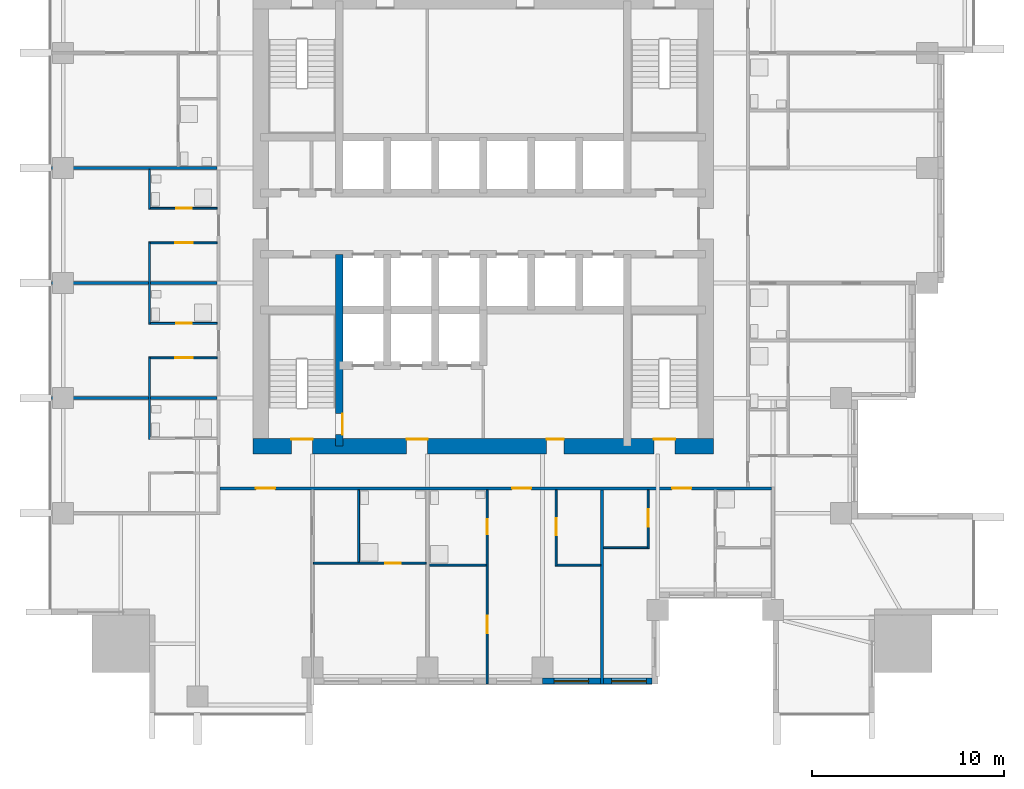
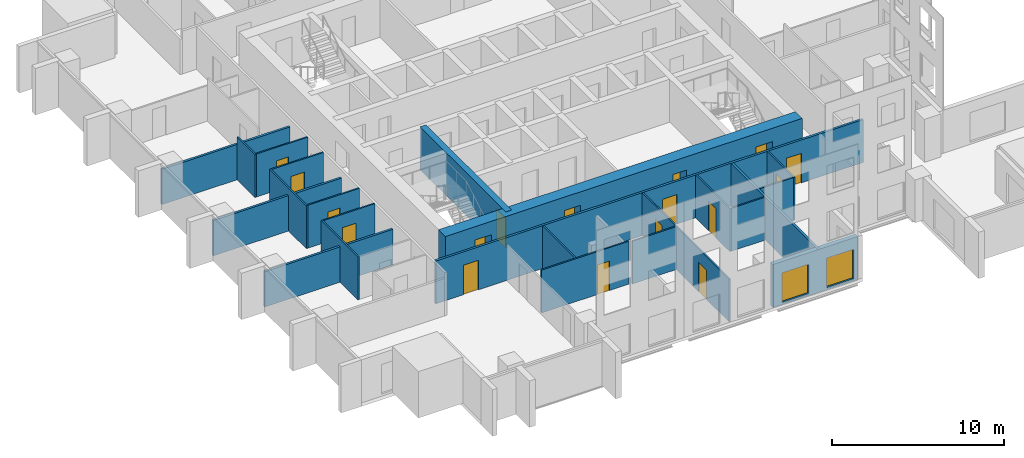
# One storey, part 4 of 11: 23 walls, 17 doors, 2 windows, 19 openings.
"""IFC4 building model written with IfcOpenShell, lengths in metres."""

from ifc_helpers import new_model, si_unit, direction, frame, frame_2d, origin, place, context, subcontext, project, spatial, rectangle, extrude, material, layer, layer_set, type_object, element, fill, save


model = new_model("IFC4")

# Units and contexts
model_context = context("Model", 3, precision=1e-05, world=origin(), true_north=direction((0.0, 1.0)))
body_context = subcontext(model_context, "Body", "Model", "MODEL_VIEW")
ifc_project = project(units=[si_unit("LENGTHUNIT", "METRE"), si_unit("AREAUNIT", "SQUARE_METRE"), si_unit("VOLUMEUNIT", "CUBIC_METRE"), si_unit("PLANEANGLEUNIT", "RADIAN"), si_unit("MASSUNIT", "GRAM", prefix="KILO")], contexts=[model_context])

# Site, building, storey
site_placement = place(None, origin())
site = spatial("IfcSite", under=ifc_project, at=site_placement, CompositionType="ELEMENT")
building_placement = place(site_placement, origin())
building = spatial("IfcBuilding", under=site, at=building_placement, Name="Amberfall Residences", CompositionType="ELEMENT")
storey_placement = place(building_placement, frame((0.0, 0.0, 98.5)))
storey = spatial("IfcBuildingStorey", under=building, at=storey_placement, Name="L26", CompositionType="ELEMENT", Elevation=98.5)

# Wall, openings, windows
ifc_material_1 = material(Name="Pale stone cladding on insulated backing", Category="masonry")
ifc_layer_1 = layer(ifc_material_1, 0.300048828125)
ifc_layer_set_1 = layer_set([ifc_layer_1], Name="Bronze clad wall 300")
wall_type_1 = type_object("IfcWallType", Name="Bronze clad wall 300", PredefinedType="SOLIDWALL", material=ifc_layer_set_1)
wall_1_placement = place(storey_placement, frame((77.60009765625, 21.64990234375, 0.0), z_axis=(0.0, 0.0, 1.0), x_axis=(1.0, 0.0, 0.0)))
wall_1 = element("IfcWall", 1, at=wall_1_placement, inside=storey, type_object=wall_type_1, Name="Stone wall L26 S", PredefinedType="SOLIDWALL", context=body_context, shape_type="SweptSolid", body=[
    extrude(rectangle(XDim=5.699951171875, YDim=0.300048828125, at=frame_2d((2.85009765625, 0.0))), origin(), (0.0, 0.0, 1.0), 3.050048828125),
])
opening_1_placement = place(wall_1_placement, frame((0.60009765625, 0.0, 0.14990234375)))
opening_1 = element("IfcOpeningElement", 2, at=opening_1_placement, cuts=wall_1, Name="Opening WN6", PredefinedType="OPENING", context=body_context, shape_type="SweptSolid", body=[
    extrude(rectangle(XDim=1.800048828125, YDim=2.10009765625, at=frame_2d((0.89990234375, 1.050048828125))), frame((0.0, 0.159912109375, 0.0), z_axis=(0.0, -1.0, 0.0), x_axis=(1.0, 0.0, 0.0)), (0.0, 0.0, 1.0), 0.320068359375),
])
opening_2_placement = place(wall_1_placement, frame((3.60009765625, 0.0, 0.14990234375)))
opening_2 = element("IfcOpeningElement", 3, at=opening_2_placement, cuts=wall_1, Name="Opening WN6", PredefinedType="OPENING", context=body_context, shape_type="SweptSolid", body=[
    extrude(rectangle(XDim=1.800048828125, YDim=2.10009765625, at=frame_2d((0.89990234375, 1.050048828125))), frame((0.0, 0.159912109375, 0.0), z_axis=(0.0, -1.0, 0.0), x_axis=(1.0, 0.0, 0.0)), (0.0, 0.0, 1.0), 0.320068359375),
])
ifc_material_2 = material(Name="Bronze aluminium framed glazing", Category="aluminium")
window_type = type_object("IfcWindowType", Name="Glazed opening 1800 x 2100 bronze", PartitioningType="DOUBLE_PANEL_VERTICAL", PredefinedType="WINDOW", material=ifc_material_2)
window_1_placement = place(opening_1_placement, origin())
window_1 = element("IfcWindow", 4, at=window_1_placement, inside=storey, type_object=window_type, Name="Window L26 S", OverallHeight=2.10009765625, OverallWidth=1.800048828125, PartitioningType="DOUBLE_PANEL_VERTICAL", PredefinedType="WINDOW", context=body_context, shape_type="SweptSolid", body=[
    extrude(rectangle(XDim=1.800048828125, YDim=2.10009765625, at=frame_2d((0.89990234375, 1.050048828125))), frame((0.0, 0.030029296875, 0.0), z_axis=(0.0, -1.0, 0.0), x_axis=(1.0, 0.0, 0.0)), (0.0, 0.0, 1.0), 0.06005859375),
])
fill(opening_1, window_1)
window_2_placement = place(opening_2_placement, origin())
window_2 = element("IfcWindow", 5, at=window_2_placement, inside=storey, type_object=window_type, Name="Window L26 S", OverallHeight=2.10009765625, OverallWidth=1.800048828125, PartitioningType="DOUBLE_PANEL_VERTICAL", PredefinedType="WINDOW", context=body_context, shape_type="SweptSolid", body=[
    extrude(rectangle(XDim=1.800048828125, YDim=2.10009765625, at=frame_2d((0.89990234375, 1.050048828125))), frame((0.0, 0.030029296875, 0.0), z_axis=(0.0, -1.0, 0.0), x_axis=(1.0, 0.0, 0.0)), (0.0, 0.0, 1.0), 0.06005859375),
])
fill(opening_2, window_2)

# Wall, opening, door
ifc_material_3 = material(Name="Concrete C70", Category="concrete")
ifc_layer_2 = layer(ifc_material_3, 0.39990234375)
ifc_layer_set_2 = layer_set([ifc_layer_2], Name="Core wall 400 C70")
wall_type_2 = type_object("IfcWallType", Name="Core wall 400 C70", PredefinedType="SHEAR", material=ifc_layer_set_2)
wall_2_placement = place(storey_placement, frame((67.0, 33.89990234375, 0.0), z_axis=(0.0, 0.0, 1.0), x_axis=(0.0, 1.0, 0.0)))
wall_2 = element("IfcWall", 6, at=wall_2_placement, inside=storey, type_object=wall_type_2, Name="Core wall RW4 L26 V45S", PredefinedType="SHEAR", context=body_context, shape_type="SweptSolid", body=[
    extrude(rectangle(XDim=10.0, YDim=0.39990234375, at=frame_2d((5.0, 0.0))), origin(), (0.0, 0.0, 1.0), 3.050048828125),
])
opening_3_placement = place(wall_2_placement, frame((0.60009765625, 0.0, 0.0)))
opening_3 = element("IfcOpeningElement", 7, at=opening_3_placement, cuts=wall_2, Name="Opening FL1", PredefinedType="OPENING", context=body_context, shape_type="SweptSolid", body=[
    extrude(rectangle(XDim=1.10009765625, YDim=2.10009765625, at=frame_2d((0.550048828125, 1.050048828125))), frame((0.0, 0.2099609375, 0.0), z_axis=(0.0, -1.0, 0.0), x_axis=(1.0, 0.0, 0.0)), (0.0, 0.0, 1.0), 0.419921875),
])
ifc_material_4 = material(Name="Steel fire door set", Category="steel")
door_type_1 = type_object("IfcDoorType", Name="Firefighting lobby door 1100 x 2100", OperationType="SINGLE_SWING_LEFT", PredefinedType="DOOR", material=ifc_material_4)
door_1_placement = place(opening_3_placement, origin())
door_1 = element("IfcDoor", 8, at=door_1_placement, inside=storey, type_object=door_type_1, Name="FL1 L26", OperationType="SINGLE_SWING_RIGHT", OverallHeight=2.10009765625, OverallWidth=1.10009765625, PredefinedType="DOOR", context=body_context, shape_type="SweptSolid", body=[
    extrude(rectangle(XDim=1.10009765625, YDim=2.10009765625, at=frame_2d((0.550048828125, 1.050048828125))), frame((0.0, -0.1376953125, 0.0), z_axis=(0.0, -1.0, 0.0), x_axis=(1.0, 0.0, 0.0)), (0.0, 0.0, 1.0), 0.050048828125),
])
fill(opening_3, door_1)

# Wall, openings, doors
ifc_layer_3 = layer(ifc_material_3, 0.800048828125)
ifc_layer_set_3 = layer_set([ifc_layer_3], Name="Core wall 800 C70")
wall_type_3 = type_object("IfcWallType", Name="Core wall 800 C70", PredefinedType="SHEAR", material=ifc_layer_set_3)
wall_3_placement = place(storey_placement, frame((62.5, 33.89990234375, 0.0), z_axis=(0.0, 0.0, 1.0), x_axis=(1.0, 0.0, 0.0)))
wall_3 = element("IfcWall", 9, at=wall_3_placement, inside=storey, type_object=wall_type_3, Name="Core wall RW3 L26 OS", PredefinedType="SHEAR", context=body_context, shape_type="SweptSolid", body=[
    extrude(rectangle(XDim=24.0, YDim=0.800048828125, at=frame_2d((12.0, 0.0))), origin(), (0.0, 0.0, 1.0), 3.050048828125),
])
opening_4_placement = place(wall_3_placement, frame((2.0, 0.0, 0.0)))
opening_4 = element("IfcOpeningElement", 10, at=opening_4_placement, cuts=wall_3, Name="Opening SD1", PredefinedType="OPENING", context=body_context, shape_type="SweptSolid", body=[
    extrude(rectangle(XDim=1.10009765625, YDim=2.10009765625, at=frame_2d((0.550048828125, 1.050048828125))), frame((0.0, 0.409912109375, 0.0), z_axis=(0.0, -1.0, 0.0), x_axis=(1.0, 0.0, 0.0)), (0.0, 0.0, 1.0), 0.820068359375),
])
opening_5_placement = place(wall_3_placement, frame((20.89990234375, 0.0, 0.0)))
opening_5 = element("IfcOpeningElement", 11, at=opening_5_placement, cuts=wall_3, Name="Opening SD1", PredefinedType="OPENING", context=body_context, shape_type="SweptSolid", body=[
    extrude(rectangle(XDim=1.10009765625, YDim=2.10009765625, at=frame_2d((0.550048828125, 1.050048828125))), frame((0.0, 0.409912109375, 0.0), z_axis=(0.0, -1.0, 0.0), x_axis=(1.0, 0.0, 0.0)), (0.0, 0.0, 1.0), 0.820068359375),
])
opening_6_placement = place(wall_3_placement, frame((8.0, 0.0, 0.0)))
opening_6 = element("IfcOpeningElement", 12, at=opening_6_placement, cuts=wall_3, Name="Opening FL1", PredefinedType="OPENING", context=body_context, shape_type="SweptSolid", body=[
    extrude(rectangle(XDim=1.10009765625, YDim=2.10009765625, at=frame_2d((0.550048828125, 1.050048828125))), frame((0.0, 0.409912109375, 0.0), z_axis=(0.0, -1.0, 0.0), x_axis=(1.0, 0.0, 0.0)), (0.0, 0.0, 1.0), 0.820068359375),
])
opening_7_placement = place(wall_3_placement, frame((15.300048828125, 0.0, 0.0)))
opening_7 = element("IfcOpeningElement", 13, at=opening_7_placement, cuts=wall_3, Name="Opening RD1", PredefinedType="OPENING", context=body_context, shape_type="SweptSolid", body=[
    extrude(rectangle(XDim=0.89990234375, YDim=2.10009765625, at=frame_2d((0.449951171875, 1.050048828125))), frame((0.0, 0.409912109375, 0.0), z_axis=(0.0, -1.0, 0.0), x_axis=(1.0, 0.0, 0.0)), (0.0, 0.0, 1.0), 0.820068359375),
])
door_2_placement = place(opening_6_placement, origin())
door_2 = element("IfcDoor", 14, at=door_2_placement, inside=storey, type_object=door_type_1, Name="FL1 L26", OperationType="SINGLE_SWING_LEFT", OverallHeight=2.10009765625, OverallWidth=1.10009765625, PredefinedType="DOOR", context=body_context, shape_type="SweptSolid", body=[
    extrude(rectangle(XDim=1.10009765625, YDim=2.10009765625, at=frame_2d((0.550048828125, 1.050048828125))), frame((0.0, 0.3876953125, 0.0), z_axis=(0.0, -1.0, 0.0), x_axis=(1.0, 0.0, 0.0)), (0.0, 0.0, 1.0), 0.050048828125),
])
fill(opening_6, door_2)
door_type_2 = type_object("IfcDoorType", Name="Service room door 900 x 2100", OperationType="SINGLE_SWING_LEFT", PredefinedType="DOOR", material=ifc_material_4)
door_3_placement = place(opening_7_placement, origin())
door_3 = element("IfcDoor", 15, at=door_3_placement, inside=storey, type_object=door_type_2, Name="RD1 L26", OperationType="SINGLE_SWING_LEFT", OverallHeight=2.10009765625, OverallWidth=0.89990234375, PredefinedType="DOOR", context=body_context, shape_type="SweptSolid", body=[
    extrude(rectangle(XDim=0.89990234375, YDim=2.10009765625, at=frame_2d((0.449951171875, 1.050048828125))), frame((0.0, 0.3876953125, 0.0), z_axis=(0.0, -1.0, 0.0), x_axis=(1.0, 0.0, 0.0)), (0.0, 0.0, 1.0), 0.050048828125),
])
fill(opening_7, door_3)
door_type_3 = type_object("IfcDoorType", Name="Stair door 1100 x 2100", OperationType="SINGLE_SWING_LEFT", PredefinedType="DOOR", material=ifc_material_4)
door_4_placement = place(opening_4_placement, origin())
door_4 = element("IfcDoor", 16, at=door_4_placement, inside=storey, type_object=door_type_3, Name="SD1 L26", OperationType="SINGLE_SWING_LEFT", OverallHeight=2.10009765625, OverallWidth=1.10009765625, PredefinedType="DOOR", context=body_context, shape_type="SweptSolid", body=[
    extrude(rectangle(XDim=1.10009765625, YDim=2.10009765625, at=frame_2d((0.550048828125, 1.050048828125))), frame((0.0, 0.3876953125, 0.0), z_axis=(0.0, -1.0, 0.0), x_axis=(1.0, 0.0, 0.0)), (0.0, 0.0, 1.0), 0.050048828125),
])
fill(opening_4, door_4)
door_5_placement = place(opening_5_placement, origin())
door_5 = element("IfcDoor", 17, at=door_5_placement, inside=storey, type_object=door_type_3, Name="SD1 L26", OperationType="SINGLE_SWING_RIGHT", OverallHeight=2.10009765625, OverallWidth=1.10009765625, PredefinedType="DOOR", context=body_context, shape_type="SweptSolid", body=[
    extrude(rectangle(XDim=1.10009765625, YDim=2.10009765625, at=frame_2d((0.550048828125, 1.050048828125))), frame((0.0, 0.3876953125, 0.0), z_axis=(0.0, -1.0, 0.0), x_axis=(1.0, 0.0, 0.0)), (0.0, 0.0, 1.0), 0.050048828125),
])
fill(opening_5, door_5)

# Walls
ifc_material_5 = material(Name="Gypsum board on metal stud")
ifc_layer_4 = layer(ifc_material_5, 0.10009765625)
ifc_layer_set_4 = layer_set([ifc_layer_4], Name="Flat partition 100")
wall_type_4 = type_object("IfcWallType", Name="Flat partition 100", PredefinedType="PARTITIONING", material=ifc_layer_set_4)
for number, where, z_axis, x_axis, name in (
    (18, (57.10009765625, 34.25, 0.0), (0.0, 0.0, 1.0), (0.0, 1.0, 0.0), "Partition 002"),
    (19, (57.10009765625, 40.25, 0.0), (0.0, 0.0, 1.0), (0.0, 1.0, 0.0), "Partition 003"),
):
    element("IfcWall", number, at=place(storey_placement, frame(where, z_axis=z_axis, x_axis=x_axis)), inside=storey, type_object=wall_type_4, Name=name, PredefinedType="PARTITIONING", context=body_context, shape_type="SweptSolid", body=[
        extrude(rectangle(XDim=4.300048828125, YDim=0.10009765625, at=frame_2d((2.14990234375, 0.0))), origin(), (0.0, 0.0, 1.0), 3.050048828125),
    ])
wall_4_placement = place(storey_placement, frame((57.10009765625, 46.25, 0.0), z_axis=(0.0, 0.0, 1.0), x_axis=(0.0, 1.0, 0.0)))
element("IfcWall", 20, at=wall_4_placement, inside=storey, type_object=wall_type_4, Name="Partition 004", PredefinedType="PARTITIONING", context=body_context, shape_type="SweptSolid", body=[
    extrude(rectangle(XDim=2.074951171875, YDim=0.10009765625, at=frame_2d((1.03759765625, 0.0))), origin(), (0.0, 0.0, 1.0), 3.050048828125),
])
wall_5_placement = place(storey_placement, frame((68.0, 27.85009765625, 0.0), z_axis=(0.0, 0.0, 1.0), x_axis=(0.0, 1.0, 0.0)))
element("IfcWall", 21, at=wall_5_placement, inside=storey, type_object=wall_type_4, Name="Partition 009", PredefinedType="PARTITIONING", context=body_context, shape_type="SweptSolid", body=[
    extrude(rectangle(XDim=3.77490234375, YDim=0.10009765625, at=frame_2d((1.887451171875, 0.0))), origin(), (0.0, 0.0, 1.0), 3.050048828125),
])

# Wall, openings, doors
wall_6_placement = place(storey_placement, frame((74.699951171875, 21.5, 0.0), z_axis=(0.0, 0.0, 1.0), x_axis=(0.0, 1.0, 0.0)))
wall_6 = element("IfcWall", 22, at=wall_6_placement, inside=storey, type_object=wall_type_4, Name="Partition 012", PredefinedType="PARTITIONING", context=body_context, shape_type="SweptSolid", body=[
    extrude(rectangle(XDim=10.125, YDim=0.10009765625, at=frame_2d((5.0625, 0.0))), origin(), (0.0, 0.0, 1.0), 3.050048828125),
])
opening_8_placement = place(wall_6_placement, frame((2.64990234375, 0.0, 0.0)))
opening_8 = element("IfcOpeningElement", 23, at=opening_8_placement, cuts=wall_6, Name="Opening D41", PredefinedType="OPENING", context=body_context, shape_type="SweptSolid", body=[
    extrude(rectangle(XDim=0.89990234375, YDim=2.10009765625, at=frame_2d((0.449951171875, 1.050048828125))), frame((0.0, 0.06005859375, 0.0), z_axis=(0.0, -1.0, 0.0), x_axis=(1.0, 0.0, 0.0)), (0.0, 0.0, 1.0), 0.1201171875),
])
opening_9_placement = place(wall_6_placement, frame((7.800048828125, 0.0, 0.0)))
opening_9 = element("IfcOpeningElement", 24, at=opening_9_placement, cuts=wall_6, Name="Opening D42", PredefinedType="OPENING", context=body_context, shape_type="SweptSolid", body=[
    extrude(rectangle(XDim=0.800048828125, YDim=2.10009765625, at=frame_2d((0.39990234375, 1.050048828125))), frame((0.0, 0.06005859375, 0.0), z_axis=(0.0, -1.0, 0.0), x_axis=(1.0, 0.0, 0.0)), (0.0, 0.0, 1.0), 0.1201171875),
])
ifc_material_6 = material(Name="Timber", Category="wood")
door_type_4 = type_object("IfcDoorType", Name="Bathroom door 800 x 2100", OperationType="SINGLE_SWING_LEFT", PredefinedType="DOOR", material=ifc_material_6)
door_6_placement = place(opening_9_placement, origin())
door_6 = element("IfcDoor", 25, at=door_6_placement, inside=storey, type_object=door_type_4, Name="Door 2602 bath1", OperationType="SINGLE_SWING_LEFT", OverallHeight=2.10009765625, OverallWidth=0.800048828125, PredefinedType="DOOR", context=body_context, shape_type="SweptSolid", body=[
    extrude(rectangle(XDim=0.800048828125, YDim=2.10009765625, at=frame_2d((0.39990234375, 1.050048828125))), frame((0.0, 0.02490234375, 0.0), z_axis=(0.0, -1.0, 0.0), x_axis=(1.0, 0.0, 0.0)), (0.0, 0.0, 1.0), 0.050048828125),
])
fill(opening_9, door_6)
door_type_5 = type_object("IfcDoorType", Name="Internal door 900 x 2100", OperationType="SINGLE_SWING_LEFT", PredefinedType="DOOR", material=ifc_material_6)
door_7_placement = place(opening_8_placement, origin())
door_7 = element("IfcDoor", 26, at=door_7_placement, inside=storey, type_object=door_type_5, Name="Door 2602 bedroom1", OperationType="SINGLE_SWING_LEFT", OverallHeight=2.10009765625, OverallWidth=0.89990234375, PredefinedType="DOOR", context=body_context, shape_type="SweptSolid", body=[
    extrude(rectangle(XDim=0.89990234375, YDim=2.10009765625, at=frame_2d((0.449951171875, 1.050048828125))), frame((0.0, 0.02490234375, 0.0), z_axis=(0.0, -1.0, 0.0), x_axis=(1.0, 0.0, 0.0)), (0.0, 0.0, 1.0), 0.050048828125),
])
fill(opening_8, door_7)

# Wall, opening, door
wall_7_placement = place(storey_placement, frame((78.300048828125, 31.625, 0.0), z_axis=(0.0, 0.0, 1.0), x_axis=(0.0, -1.0, 0.0)))
wall_7 = element("IfcWall", 27, at=wall_7_placement, inside=storey, type_object=wall_type_4, Name="Partition 014", PredefinedType="PARTITIONING", context=body_context, shape_type="SweptSolid", body=[
    extrude(rectangle(XDim=3.97509765625, YDim=0.10009765625, at=frame_2d((1.987548828125, 0.0))), origin(), (0.0, 0.0, 1.0), 3.050048828125),
])
opening_10_placement = place(wall_7_placement, frame((1.47509765625, 0.0, 0.0)))
opening_10 = element("IfcOpeningElement", 28, at=opening_10_placement, cuts=wall_7, Name="Opening D41", PredefinedType="OPENING", context=body_context, shape_type="SweptSolid", body=[
    extrude(rectangle(XDim=0.89990234375, YDim=2.10009765625, at=frame_2d((0.449951171875, 1.050048828125))), frame((0.0, 0.06005859375, 0.0), z_axis=(0.0, -1.0, 0.0), x_axis=(1.0, 0.0, 0.0)), (0.0, 0.0, 1.0), 0.1201171875),
])
door_8_placement = place(opening_10_placement, origin())
door_8 = element("IfcDoor", 29, at=door_8_placement, inside=storey, type_object=door_type_5, Name="Door 2602 kitchen", OperationType="SINGLE_SWING_LEFT", OverallHeight=2.10009765625, OverallWidth=0.89990234375, PredefinedType="DOOR", context=body_context, shape_type="SweptSolid", body=[
    extrude(rectangle(XDim=0.89990234375, YDim=2.10009765625, at=frame_2d((0.449951171875, 1.050048828125))), frame((0.0, 0.02490234375, 0.0), z_axis=(0.0, -1.0, 0.0), x_axis=(1.0, 0.0, 0.0)), (0.0, 0.0, 1.0), 0.050048828125),
])
fill(opening_10, door_8)

wall_8_placement = place(storey_placement, frame((83.10009765625, 28.550048828125, 0.0), z_axis=(0.0, 0.0, 1.0), x_axis=(0.0, 1.0, 0.0)))
wall_8 = element("IfcWall", 30, at=wall_8_placement, inside=storey, type_object=wall_type_4, Name="Partition 016", PredefinedType="PARTITIONING", context=body_context, shape_type="SweptSolid", body=[
    extrude(rectangle(XDim=3.074951171875, YDim=0.10009765625, at=frame_2d((1.53759765625, 0.0))), origin(), (0.0, 0.0, 1.0), 3.050048828125),
])
opening_11_placement = place(wall_8_placement, frame((1.14990234375, 0.0, 0.0)))
opening_11 = element("IfcOpeningElement", 31, at=opening_11_placement, cuts=wall_8, Name="Opening D41", PredefinedType="OPENING", context=body_context, shape_type="SweptSolid", body=[
    extrude(rectangle(XDim=0.89990234375, YDim=2.10009765625, at=frame_2d((0.449951171875, 1.050048828125))), frame((0.0, 0.06005859375, 0.0), z_axis=(0.0, -1.0, 0.0), x_axis=(1.0, 0.0, 0.0)), (0.0, 0.0, 1.0), 0.1201171875),
])
door_9_placement = place(opening_11_placement, origin())
door_9 = element("IfcDoor", 32, at=door_9_placement, inside=storey, type_object=door_type_5, Name="Door 2603 kitchen", OperationType="SINGLE_SWING_LEFT", OverallHeight=2.10009765625, OverallWidth=0.89990234375, PredefinedType="DOOR", context=body_context, shape_type="SweptSolid", body=[
    extrude(rectangle(XDim=0.89990234375, YDim=2.10009765625, at=frame_2d((0.449951171875, 1.050048828125))), frame((0.0, 0.02490234375, 0.0), z_axis=(0.0, -1.0, 0.0), x_axis=(1.0, 0.0, 0.0)), (0.0, 0.0, 1.0), 0.050048828125),
])
fill(opening_11, door_9)

wall_9_placement = place(storey_placement, frame((57.14990234375, 46.300048828125, 0.0), z_axis=(0.0, 0.0, 1.0), x_axis=(1.0, 0.0, 0.0)))
wall_9 = element("IfcWall", 33, at=wall_9_placement, inside=storey, type_object=wall_type_4, Name="Partition 032", PredefinedType="PARTITIONING", context=body_context, shape_type="SweptSolid", body=[
    extrude(rectangle(XDim=3.47509765625, YDim=0.10009765625, at=frame_2d((1.737548828125, 0.0))), origin(), (0.0, 0.0, 1.0), 3.050048828125),
])
opening_12_placement = place(wall_9_placement, frame((1.35009765625, 0.0, 0.0)))
opening_12 = element("IfcOpeningElement", 34, at=opening_12_placement, cuts=wall_9, Name="Opening D42", PredefinedType="OPENING", context=body_context, shape_type="SweptSolid", body=[
    extrude(rectangle(XDim=0.800048828125, YDim=2.10009765625, at=frame_2d((0.39990234375, 1.050048828125))), frame((0.0, 0.06005859375, 0.0), z_axis=(0.0, -1.0, 0.0), x_axis=(1.0, 0.0, 0.0)), (0.0, 0.0, 1.0), 0.1201171875),
])
door_10_placement = place(opening_12_placement, origin())
door_10 = element("IfcDoor", 35, at=door_10_placement, inside=storey, type_object=door_type_4, Name="Door 2612 bath1", OperationType="SINGLE_SWING_LEFT", OverallHeight=2.10009765625, OverallWidth=0.800048828125, PredefinedType="DOOR", context=body_context, shape_type="SweptSolid", body=[
    extrude(rectangle(XDim=0.800048828125, YDim=2.10009765625, at=frame_2d((0.39990234375, 1.050048828125))), frame((0.0, 0.02490234375, 0.0), z_axis=(0.0, -1.0, 0.0), x_axis=(1.0, 0.0, 0.0)), (0.0, 0.0, 1.0), 0.050048828125),
])
fill(opening_12, door_10)

wall_10_placement = place(storey_placement, frame((60.625, 44.5, 0.0), z_axis=(0.0, 0.0, 1.0), x_axis=(-1.0, 0.0, 0.0)))
wall_10 = element("IfcWall", 36, at=wall_10_placement, inside=storey, type_object=wall_type_4, Name="Partition 033", PredefinedType="PARTITIONING", context=body_context, shape_type="SweptSolid", body=[
    extrude(rectangle(XDim=3.47509765625, YDim=0.10009765625, at=frame_2d((1.737548828125, 0.0))), origin(), (0.0, 0.0, 1.0), 3.050048828125),
])
opening_13_placement = place(wall_10_placement, frame((1.27490234375, 0.0, 0.0)))
opening_13 = element("IfcOpeningElement", 37, at=opening_13_placement, cuts=wall_10, Name="Opening D41", PredefinedType="OPENING", context=body_context, shape_type="SweptSolid", body=[
    extrude(rectangle(XDim=0.89990234375, YDim=2.10009765625, at=frame_2d((0.449951171875, 1.050048828125))), frame((0.0, 0.06005859375, 0.0), z_axis=(0.0, -1.0, 0.0), x_axis=(1.0, 0.0, 0.0)), (0.0, 0.0, 1.0), 0.1201171875),
])
door_11_placement = place(opening_13_placement, origin())
door_11 = element("IfcDoor", 38, at=door_11_placement, inside=storey, type_object=door_type_5, Name="Door 2612 kitchen", OperationType="SINGLE_SWING_LEFT", OverallHeight=2.10009765625, OverallWidth=0.89990234375, PredefinedType="DOOR", context=body_context, shape_type="SweptSolid", body=[
    extrude(rectangle(XDim=0.89990234375, YDim=2.10009765625, at=frame_2d((0.449951171875, 1.050048828125))), frame((0.0, 0.02490234375, 0.0), z_axis=(0.0, -1.0, 0.0), x_axis=(1.0, 0.0, 0.0)), (0.0, 0.0, 1.0), 0.050048828125),
])
fill(opening_13, door_11)

wall_11_placement = place(storey_placement, frame((57.14990234375, 40.300048828125, 0.0), z_axis=(0.0, 0.0, 1.0), x_axis=(1.0, 0.0, 0.0)))
wall_11 = element("IfcWall", 39, at=wall_11_placement, inside=storey, type_object=wall_type_4, Name="Partition 035", PredefinedType="PARTITIONING", context=body_context, shape_type="SweptSolid", body=[
    extrude(rectangle(XDim=3.47509765625, YDim=0.10009765625, at=frame_2d((1.737548828125, 0.0))), origin(), (0.0, 0.0, 1.0), 3.050048828125),
])
opening_14_placement = place(wall_11_placement, frame((1.35009765625, 0.0, 0.0)))
opening_14 = element("IfcOpeningElement", 40, at=opening_14_placement, cuts=wall_11, Name="Opening D42", PredefinedType="OPENING", context=body_context, shape_type="SweptSolid", body=[
    extrude(rectangle(XDim=0.800048828125, YDim=2.10009765625, at=frame_2d((0.39990234375, 1.050048828125))), frame((0.0, 0.06005859375, 0.0), z_axis=(0.0, -1.0, 0.0), x_axis=(1.0, 0.0, 0.0)), (0.0, 0.0, 1.0), 0.1201171875),
])
door_12_placement = place(opening_14_placement, origin())
door_12 = element("IfcDoor", 41, at=door_12_placement, inside=storey, type_object=door_type_4, Name="Door 2611 bath1", OperationType="SINGLE_SWING_LEFT", OverallHeight=2.10009765625, OverallWidth=0.800048828125, PredefinedType="DOOR", context=body_context, shape_type="SweptSolid", body=[
    extrude(rectangle(XDim=0.800048828125, YDim=2.10009765625, at=frame_2d((0.39990234375, 1.050048828125))), frame((0.0, 0.02490234375, 0.0), z_axis=(0.0, -1.0, 0.0), x_axis=(1.0, 0.0, 0.0)), (0.0, 0.0, 1.0), 0.050048828125),
])
fill(opening_14, door_12)

wall_12_placement = place(storey_placement, frame((60.625, 38.5, 0.0), z_axis=(0.0, 0.0, 1.0), x_axis=(-1.0, 0.0, 0.0)))
wall_12 = element("IfcWall", 42, at=wall_12_placement, inside=storey, type_object=wall_type_4, Name="Partition 036", PredefinedType="PARTITIONING", context=body_context, shape_type="SweptSolid", body=[
    extrude(rectangle(XDim=3.47509765625, YDim=0.10009765625, at=frame_2d((1.737548828125, 0.0))), origin(), (0.0, 0.0, 1.0), 3.050048828125),
])
opening_15_placement = place(wall_12_placement, frame((1.27490234375, 0.0, 0.0)))
opening_15 = element("IfcOpeningElement", 43, at=opening_15_placement, cuts=wall_12, Name="Opening D41", PredefinedType="OPENING", context=body_context, shape_type="SweptSolid", body=[
    extrude(rectangle(XDim=0.89990234375, YDim=2.10009765625, at=frame_2d((0.449951171875, 1.050048828125))), frame((0.0, 0.06005859375, 0.0), z_axis=(0.0, -1.0, 0.0), x_axis=(1.0, 0.0, 0.0)), (0.0, 0.0, 1.0), 0.1201171875),
])
door_13_placement = place(opening_15_placement, origin())
door_13 = element("IfcDoor", 44, at=door_13_placement, inside=storey, type_object=door_type_5, Name="Door 2611 kitchen", OperationType="SINGLE_SWING_LEFT", OverallHeight=2.10009765625, OverallWidth=0.89990234375, PredefinedType="DOOR", context=body_context, shape_type="SweptSolid", body=[
    extrude(rectangle(XDim=0.89990234375, YDim=2.10009765625, at=frame_2d((0.449951171875, 1.050048828125))), frame((0.0, 0.02490234375, 0.0), z_axis=(0.0, -1.0, 0.0), x_axis=(1.0, 0.0, 0.0)), (0.0, 0.0, 1.0), 0.050048828125),
])
fill(opening_15, door_13)

# Wall
wall_13_placement = place(storey_placement, frame((80.77490234375, 28.60009765625, 0.0), z_axis=(0.0, 0.0, 1.0), x_axis=(1.0, 0.0, 0.0)))
element("IfcWall", 45, at=wall_13_placement, inside=storey, type_object=wall_type_4, Name="Partition 041", PredefinedType="PARTITIONING", context=body_context, shape_type="SweptSolid", body=[
    extrude(rectangle(XDim=2.275146484375, YDim=0.10009765625, at=frame_2d((1.1376953125, 0.0))), origin(), (0.0, 0.0, 1.0), 3.050048828125),
])

# Wall, opening, door
wall_14_placement = place(storey_placement, frame((65.64990234375, 27.800048828125, 0.0), z_axis=(0.0, 0.0, 1.0), x_axis=(1.0, 0.0, 0.0)))
wall_14 = element("IfcWall", 46, at=wall_14_placement, inside=storey, type_object=wall_type_4, Name="Partition 043", PredefinedType="PARTITIONING", context=body_context, shape_type="SweptSolid", body=[
    extrude(rectangle(XDim=5.875, YDim=0.10009765625, at=frame_2d((2.9375, 0.0))), origin(), (0.0, 0.0, 1.0), 3.050048828125),
])
opening_16_placement = place(wall_14_placement, frame((3.75, 0.0, 0.0)))
opening_16 = element("IfcOpeningElement", 47, at=opening_16_placement, cuts=wall_14, Name="Opening D42", PredefinedType="OPENING", context=body_context, shape_type="SweptSolid", body=[
    extrude(rectangle(XDim=0.800048828125, YDim=2.10009765625, at=frame_2d((0.39990234375, 1.050048828125))), frame((0.0, 0.06005859375, 0.0), z_axis=(0.0, -1.0, 0.0), x_axis=(1.0, 0.0, 0.0)), (0.0, 0.0, 1.0), 0.1201171875),
])
door_14_placement = place(opening_16_placement, origin())
door_14 = element("IfcDoor", 48, at=door_14_placement, inside=storey, type_object=door_type_4, Name="Door 2601 bath1", OperationType="SINGLE_SWING_LEFT", OverallHeight=2.10009765625, OverallWidth=0.800048828125, PredefinedType="DOOR", context=body_context, shape_type="SweptSolid", body=[
    extrude(rectangle(XDim=0.800048828125, YDim=2.10009765625, at=frame_2d((0.39990234375, 1.050048828125))), frame((0.0, 0.02490234375, 0.0), z_axis=(0.0, -1.0, 0.0), x_axis=(1.0, 0.0, 0.0)), (0.0, 0.0, 1.0), 0.050048828125),
])
fill(opening_16, door_14)

# Walls
wall_15_placement = place(storey_placement, frame((71.699951171875, 27.699951171875, 0.0), z_axis=(0.0, 0.0, 1.0), x_axis=(1.0, 0.0, 0.0)))
element("IfcWall", 49, at=wall_15_placement, inside=storey, type_object=wall_type_4, Name="Partition 044", PredefinedType="PARTITIONING", context=body_context, shape_type="SweptSolid", body=[
    extrude(rectangle(XDim=2.949951171875, YDim=0.10009765625, at=frame_2d((1.47509765625, 0.0))), origin(), (0.0, 0.0, 1.0), 3.050048828125),
])
wall_16_placement = place(storey_placement, frame((78.35009765625, 27.699951171875, 0.0), z_axis=(0.0, 0.0, 1.0), x_axis=(1.0, 0.0, 0.0)))
element("IfcWall", 50, at=wall_16_placement, inside=storey, type_object=wall_type_4, Name="Partition 045", PredefinedType="PARTITIONING", context=body_context, shape_type="SweptSolid", body=[
    extrude(rectangle(XDim=2.27490234375, YDim=0.10009765625, at=frame_2d((1.137451171875, 0.0))), origin(), (0.0, 0.0, 1.0), 3.050048828125),
])
ifc_material_7 = material(Name="Blockwork, plastered", Category="masonry")
ifc_layer_5 = layer(ifc_material_7, 0.14990234375)
ifc_layer_set_5 = layer_set([ifc_layer_5], Name="Flat separating wall 150")
wall_type_5 = type_object("IfcWallType", Name="Flat separating wall 150", PredefinedType="PARTITIONING", material=ifc_layer_set_5)
wall_17_placement = place(storey_placement, frame((80.699951171875, 21.5, 0.0), z_axis=(0.0, 0.0, 1.0), x_axis=(0.0, 1.0, 0.0)))
element("IfcWall", 51, at=wall_17_placement, inside=storey, type_object=wall_type_5, Name="Separating wall 051", PredefinedType="PARTITIONING", context=body_context, shape_type="SweptSolid", body=[
    extrude(rectangle(XDim=10.125, YDim=0.14990234375, at=frame_2d((5.0625, 0.0))), origin(), (0.0, 0.0, 1.0), 3.050048828125),
])
for number, where, z_axis, x_axis, name in (
    (52, (52.0, 48.39990234375, 0.0), (0.0, 0.0, 1.0), (1.0, 0.0, 0.0), "Separating wall 057"),
    (53, (52.0, 42.39990234375, 0.0), (0.0, 0.0, 1.0), (1.0, 0.0, 0.0), "Separating wall 058"),
    (54, (52.0, 36.39990234375, 0.0), (0.0, 0.0, 1.0), (1.0, 0.0, 0.0), "Separating wall 060"),
):
    element("IfcWall", number, at=place(storey_placement, frame(where, z_axis=z_axis, x_axis=x_axis)), inside=storey, type_object=wall_type_5, Name=name, PredefinedType="PARTITIONING", context=body_context, shape_type="SweptSolid", body=[
        extrude(rectangle(XDim=8.625, YDim=0.14990234375, at=frame_2d((4.3125, 0.0))), origin(), (0.0, 0.0, 1.0), 2.51611328125),
    ])

# Wall, openings, doors
wall_18_placement = place(storey_placement, frame((89.52490234375, 31.699951171875, 0.0), z_axis=(0.0, 0.0, 1.0), x_axis=(-1.0, 0.0, 0.0)))
wall_18 = element("IfcWall", 55, at=wall_18_placement, inside=storey, type_object=wall_type_5, Name="Separating wall 061", PredefinedType="PARTITIONING", context=body_context, shape_type="SweptSolid", body=[
    extrude(rectangle(XDim=28.75, YDim=0.14990234375, at=frame_2d((14.375, 0.0))), origin(), (0.0, 0.0, 1.0), 3.050048828125),
])
opening_17_placement = place(wall_18_placement, frame((25.875, 0.0, 0.0)))
opening_17 = element("IfcOpeningElement", 56, at=opening_17_placement, cuts=wall_18, Name="Opening D40", PredefinedType="OPENING", context=body_context, shape_type="SweptSolid", body=[
    extrude(rectangle(XDim=1.0, YDim=2.10009765625, at=frame_2d((0.5, 1.050048828125))), frame((0.0, 0.0849609375, 0.0), z_axis=(0.0, -1.0, 0.0), x_axis=(1.0, 0.0, 0.0)), (0.0, 0.0, 1.0), 0.169921875),
])
opening_18_placement = place(wall_18_placement, frame((12.52490234375, 0.0, 0.0)))
opening_18 = element("IfcOpeningElement", 57, at=opening_18_placement, cuts=wall_18, Name="Opening D40", PredefinedType="OPENING", context=body_context, shape_type="SweptSolid", body=[
    extrude(rectangle(XDim=1.0, YDim=2.10009765625, at=frame_2d((0.5, 1.050048828125))), frame((0.0, 0.0849609375, 0.0), z_axis=(0.0, -1.0, 0.0), x_axis=(1.0, 0.0, 0.0)), (0.0, 0.0, 1.0), 0.169921875),
])
opening_19_placement = place(wall_18_placement, frame((4.175048828125, 0.0, 0.0)))
opening_19 = element("IfcOpeningElement", 58, at=opening_19_placement, cuts=wall_18, Name="Opening D40", PredefinedType="OPENING", context=body_context, shape_type="SweptSolid", body=[
    extrude(rectangle(XDim=1.0, YDim=2.10009765625, at=frame_2d((0.5, 1.050048828125))), frame((0.0, 0.0849609375, 0.0), z_axis=(0.0, -1.0, 0.0), x_axis=(1.0, 0.0, 0.0)), (0.0, 0.0, 1.0), 0.169921875),
])
ifc_material_8 = material(Name="Timber, fire-rated", Category="wood")
door_type_6 = type_object("IfcDoorType", Name="Flat entrance door FD60 1000 x 2100", OperationType="SINGLE_SWING_LEFT", PredefinedType="DOOR", material=ifc_material_8)
door_15_placement = place(opening_17_placement, origin())
door_15 = element("IfcDoor", 59, at=door_15_placement, inside=storey, type_object=door_type_6, Name="Door 2601 entrance", OperationType="SINGLE_SWING_LEFT", OverallHeight=2.10009765625, OverallWidth=1.0, PredefinedType="DOOR", context=body_context, shape_type="SweptSolid", body=[
    extrude(rectangle(XDim=1.0, YDim=2.10009765625, at=frame_2d((0.5, 1.050048828125))), frame((0.0, 0.02490234375, 0.0), z_axis=(0.0, -1.0, 0.0), x_axis=(1.0, 0.0, 0.0)), (0.0, 0.0, 1.0), 0.050048828125),
])
fill(opening_17, door_15)
door_16_placement = place(opening_18_placement, origin())
door_16 = element("IfcDoor", 60, at=door_16_placement, inside=storey, type_object=door_type_6, Name="Door 2602 entrance", OperationType="SINGLE_SWING_LEFT", OverallHeight=2.10009765625, OverallWidth=1.0, PredefinedType="DOOR", context=body_context, shape_type="SweptSolid", body=[
    extrude(rectangle(XDim=1.0, YDim=2.10009765625, at=frame_2d((0.5, 1.050048828125))), frame((0.0, 0.02490234375, 0.0), z_axis=(0.0, -1.0, 0.0), x_axis=(1.0, 0.0, 0.0)), (0.0, 0.0, 1.0), 0.050048828125),
])
fill(opening_18, door_16)
door_17_placement = place(opening_19_placement, origin())
door_17 = element("IfcDoor", 61, at=door_17_placement, inside=storey, type_object=door_type_6, Name="Door 2603 entrance", OperationType="SINGLE_SWING_LEFT", OverallHeight=2.10009765625, OverallWidth=1.0, PredefinedType="DOOR", context=body_context, shape_type="SweptSolid", body=[
    extrude(rectangle(XDim=1.0, YDim=2.10009765625, at=frame_2d((0.5, 1.050048828125))), frame((0.0, 0.02490234375, 0.0), z_axis=(0.0, -1.0, 0.0), x_axis=(1.0, 0.0, 0.0)), (0.0, 0.0, 1.0), 0.050048828125),
])
fill(opening_19, door_17)

save(model, "model.ifc")
